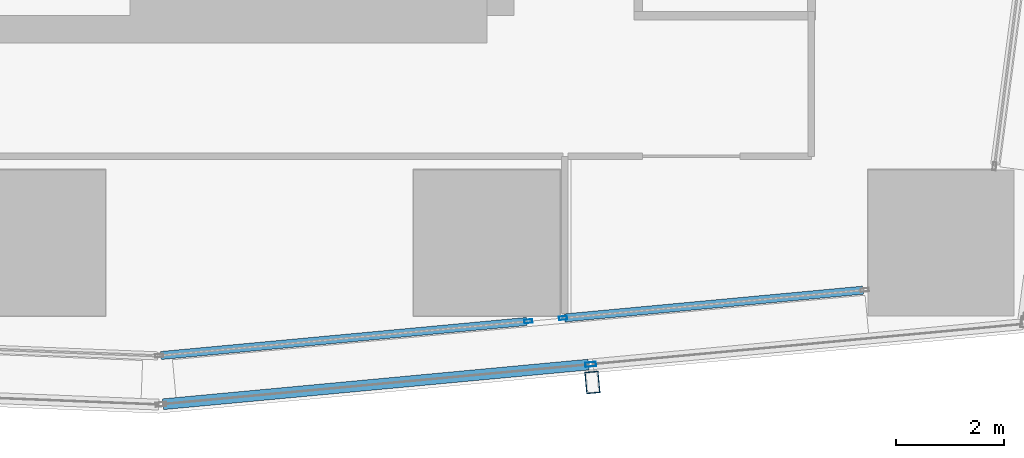
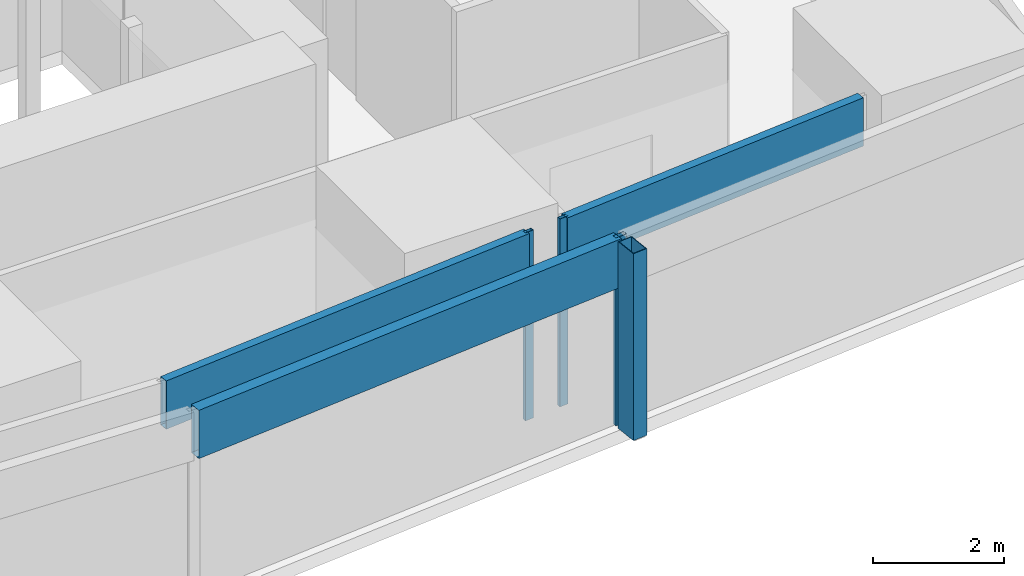
# One storey, part 9 of 36: 7 members, 3 elements without a shape of their own.
"""IFC4 building model written with IfcOpenShell, lengths in metres."""

from ifc_helpers import new_model, si_unit, direction, frame, origin, origin_2d, place, context, subcontext, project, spatial, hollow_rectangle, extrude, material, material_profile, profile_set, type_object, element, aggregate, save


model = new_model("IFC4")

# Units and contexts
model_context = context("Model", 3, precision=1e-05, world=origin(), true_north=direction((0.0, 1.0)))
body_context = subcontext(model_context, "Body", "Model", "MODEL_VIEW")
ifc_project = project(units=[si_unit("LENGTHUNIT", "METRE"), si_unit("AREAUNIT", "SQUARE_METRE"), si_unit("VOLUMEUNIT", "CUBIC_METRE"), si_unit("PLANEANGLEUNIT", "RADIAN"), si_unit("MASSUNIT", "GRAM", prefix="KILO")], contexts=[model_context])

# Site, building, storey
site_placement = place(None, origin())
site = spatial("IfcSite", under=ifc_project, at=site_placement, CompositionType="ELEMENT")
building_placement = place(site_placement, origin())
building = spatial("IfcBuilding", under=site, at=building_placement, Name="Rekha Terrace Tower", CompositionType="ELEMENT")
storey_placement = place(building_placement, frame((0.0, 0.0, 172.699951171875)))
storey = spatial("IfcBuildingStorey", under=building, at=storey_placement, Name="L43", CompositionType="ELEMENT", Elevation=172.699951171875)

# Curtain wall, member
ifc_material_1 = material(Name="Aluminium framing", Category="aluminium")
curtain_wall_type_1 = type_object("IfcCurtainWallType", Name="CW2 double skin outer glazing", PredefinedType="USERDEFINED", material=ifc_material_1)
curtain_wall_1_placement = place(storey_placement, origin())
curtain_wall_1 = element("IfcCurtainWall", 1, at=curtain_wall_1_placement, inside=storey, type_object=curtain_wall_type_1, Name="CW2 double skin outer glazing", ObjectType="DOUBLE SKIN OUTER GLAZING", PredefinedType="USERDEFINED")
ifc_material_2 = material(Name="Steel S355 with fluorocarbon finish", Category="steel")
ifc_material_profile_1 = material_profile(ifc_material_2, hollow_rectangle(XDim=0.25, YDim=0.39990234375, WallThickness=0.012451171875, at=origin_2d()), Name="RHS400x250x12.5")
ifc_profile_set_1 = profile_set([ifc_material_profile_1], Name="Steel S355 with fluorocarbon finish")
member_type_1 = type_object("IfcMemberType", Name="BL1 facade blade RHS 400 x 250", PredefinedType="USERDEFINED", material=ifc_profile_set_1)
member_1_placement = place(storey_placement, frame((52.35302734375, 14.22021484375, 0.02001953125), z_axis=(0.0, 0.0, 1.0), x_axis=(0.995693203185, 0.092709466242, 0.0)))
member_1 = element("IfcMember", 2, at=member_1_placement, type_object=member_type_1, Name="Facade blade", ObjectType="FACADE BLADE", PredefinedType="USERDEFINED", context=body_context, shape_type="SweptSolid", body=[
    extrude(hollow_rectangle(XDim=0.25, YDim=0.39990234375, WallThickness=0.012451171875, at=origin_2d()), origin(), (0.0, 0.0, 1.0), 3.47998046875),
])

curtain_wall_type_2 = type_object("IfcCurtainWallType", Name="CW1 double skin inner glazing", PredefinedType="USERDEFINED", material=ifc_material_1)
curtain_wall_2_placement = place(storey_placement, origin())
curtain_wall_2 = element("IfcCurtainWall", 3, at=curtain_wall_2_placement, inside=storey, type_object=curtain_wall_type_2, Name="CW1 double skin inner glazing", ObjectType="DOUBLE SKIN INNER GLAZING", PredefinedType="USERDEFINED")
ifc_material_3 = material(Name="Aluminium mullion section", Category="aluminium")
ifc_material_profile_2 = material_profile(ifc_material_3, hollow_rectangle(XDim=0.06494140625, YDim=0.14990234375, WallThickness=0.00390625, at=origin_2d()), Name="AL RHS 65x150")
ifc_profile_set_2 = profile_set([ifc_material_profile_2], Name="Aluminium mullion section")
member_type_2 = type_object("IfcMemberType", Name="CW1 mullion RHS 65 x 150", PredefinedType="MULLION", material=ifc_profile_set_2)
member_2_placement = place(storey_placement, frame((51.170166015625, 15.3505859375, 0.0), z_axis=(0.0, 0.0, 1.0), x_axis=(-0.092708869598, 0.995693258739, 0.0)))
member_2 = element("IfcMember", 4, at=member_2_placement, type_object=member_type_2, Name="CW1 mullion 2", PredefinedType="MULLION", context=body_context, shape_type="SweptSolid", body=[
    extrude(hollow_rectangle(XDim=0.06494140625, YDim=0.14990234375, WallThickness=0.00390625, at=origin_2d()), origin(), (0.0, 0.0, 1.0), 3.5),
])

curtain_wall_3_placement = place(storey_placement, origin())
curtain_wall_3 = element("IfcCurtainWall", 5, at=curtain_wall_3_placement, inside=storey, type_object=curtain_wall_type_2, Name="CW1 double skin inner glazing", ObjectType="DOUBLE SKIN INNER GLAZING", PredefinedType="USERDEFINED")
member_3_placement = place(storey_placement, frame((51.81103515625, 15.41015625, 0.0), z_axis=(0.0, 0.0, 1.0), x_axis=(-0.092708869512, 0.995693258747, 0.0)))
member_3 = element("IfcMember", 6, at=member_3_placement, type_object=member_type_2, Name="CW1 mullion 1", PredefinedType="MULLION", context=body_context, shape_type="SweptSolid", body=[
    extrude(hollow_rectangle(XDim=0.06494140625, YDim=0.14990234375, WallThickness=0.00390625, at=origin_2d()), origin(), (0.0, 0.0, 1.0), 3.5),
])

# Member
ifc_material_4 = material(Name="Insulated aluminium spandrel box", Category="aluminium")
ifc_material_profile_3 = material_profile(ifc_material_4, hollow_rectangle(XDim=0.14990234375, YDim=0.89990234375, WallThickness=0.0029296875, at=origin_2d()), Name="AL SPANDREL BOX 150x900")
ifc_profile_set_3 = profile_set([ifc_material_profile_3], Name="Insulated aluminium spandrel box")
member_type_3 = type_object("IfcMemberType", Name="CW1 spandrel transom 150 x 900", PredefinedType="USERDEFINED", material=ifc_profile_set_3)
member_4_placement = place(storey_placement, frame((44.376708984375, 14.718017578125, 3.050048828125), z_axis=(0.995695199158, 0.092688027133, 0.0), x_axis=(-0.092688027133, 0.995695199158, 0.0)))
member_4 = element("IfcMember", 7, at=member_4_placement, type_object=member_type_3, Name="CW1 spandrel transom 1", ObjectType="TRANSOM", PredefinedType="USERDEFINED", context=body_context, shape_type="SweptSolid", body=[
    extrude(hollow_rectangle(XDim=0.14990234375, YDim=0.89990234375, WallThickness=0.0029296875, at=origin_2d()), origin(), (0.0, 0.0, 1.0), 6.79052734375),
])

aggregate(curtain_wall_2, [member_2, member_4])

member_5_placement = place(storey_placement, frame((51.843505859375, 15.413330078125, 3.050048828125), z_axis=(0.995695350507, 0.092686401256, 0.0), x_axis=(-0.092686401256, 0.995695350507, 0.0)))
member_5 = element("IfcMember", 8, at=member_5_placement, type_object=member_type_3, Name="CW1 spandrel transom 1", ObjectType="TRANSOM", PredefinedType="USERDEFINED", context=body_context, shape_type="SweptSolid", body=[
    extrude(hollow_rectangle(XDim=0.14990234375, YDim=0.89990234375, WallThickness=0.0029296875, at=origin_2d()), origin(), (0.0, 0.0, 1.0), 5.536865234375),
])

aggregate(curtain_wall_3, [member_3, member_5])

ifc_material_profile_4 = material_profile(ifc_material_3, hollow_rectangle(XDim=0.080078125, YDim=0.199951171875, WallThickness=0.00390625, at=origin_2d()), Name="AL RHS 80x200")
ifc_profile_set_4 = profile_set([ifc_material_profile_4], Name="Aluminium mullion section")
member_type_4 = type_object("IfcMemberType", Name="CW2 mullion RHS 80 x 200", PredefinedType="MULLION", material=ifc_profile_set_4)
member_6_placement = place(storey_placement, frame((52.322021484375, 14.553955078125, 0.0), z_axis=(0.0, 0.0, 1.0), x_axis=(-0.092708869512, 0.995693258747, 0.0)))
member_6 = element("IfcMember", 9, at=member_6_placement, type_object=member_type_4, Name="CW2 mullion 2", PredefinedType="MULLION", context=body_context, shape_type="SweptSolid", body=[
    extrude(hollow_rectangle(XDim=0.080078125, YDim=0.199951171875, WallThickness=0.00390625, at=origin_2d()), origin(), (0.0, 0.0, 1.0), 3.5),
])

ifc_material_profile_5 = material_profile(ifc_material_4, hollow_rectangle(XDim=0.199951171875, YDim=0.89990234375, WallThickness=0.0029296875, at=origin_2d()), Name="AL SPANDREL BOX 200x900")
ifc_profile_set_5 = profile_set([ifc_material_profile_5], Name="Insulated aluminium spandrel box")
member_type_5 = type_object("IfcMemberType", Name="CW2 spandrel transom 200 x 900", PredefinedType="USERDEFINED", material=ifc_profile_set_5)
member_7_placement = place(storey_placement, frame((44.41552734375, 13.817626953125, 3.050048828125), z_axis=(0.995690937161, 0.092733799963, 0.0), x_axis=(-0.092733799963, 0.995690937161, 0.0)))
member_7 = element("IfcMember", 10, at=member_7_placement, type_object=member_type_5, Name="CW2 spandrel transom 1", ObjectType="TRANSOM", PredefinedType="USERDEFINED", context=body_context, shape_type="SweptSolid", body=[
    extrude(hollow_rectangle(XDim=0.199951171875, YDim=0.89990234375, WallThickness=0.0029296875, at=origin_2d()), origin(), (0.0, 0.0, 1.0), 7.900634765625),
])

aggregate(curtain_wall_1, [member_6, member_7, member_1])

save(model, "model.ifc")
